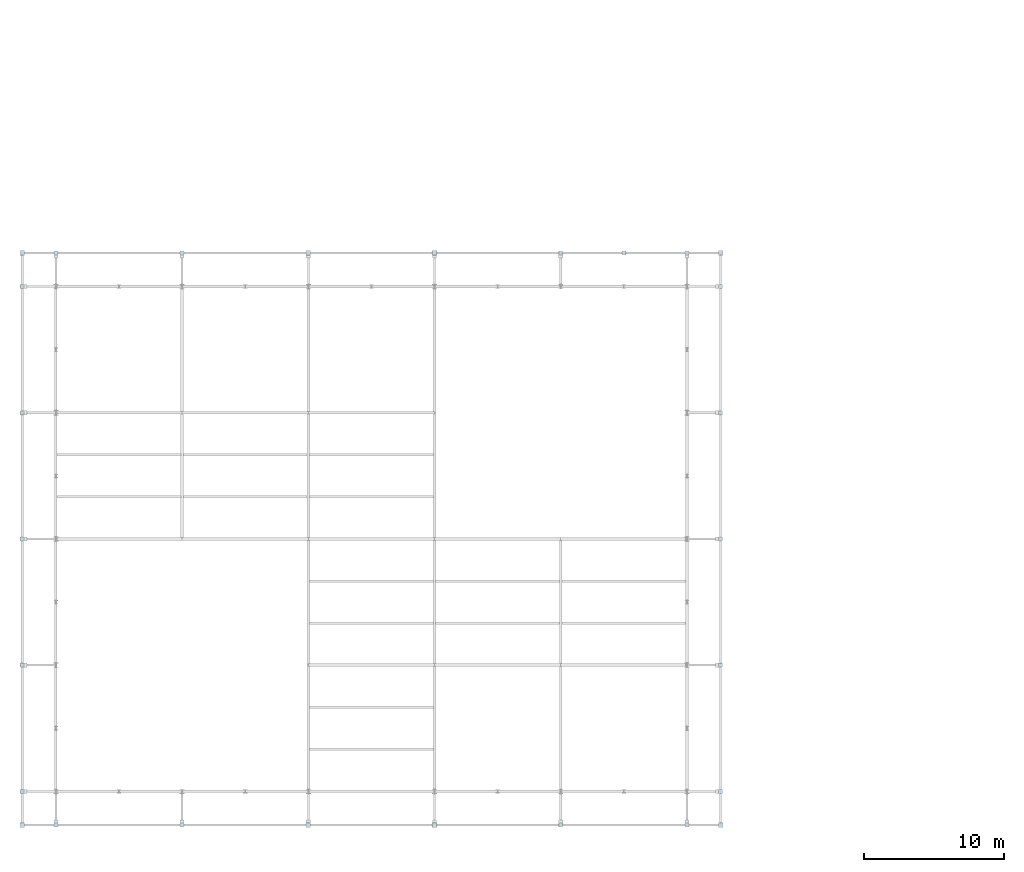
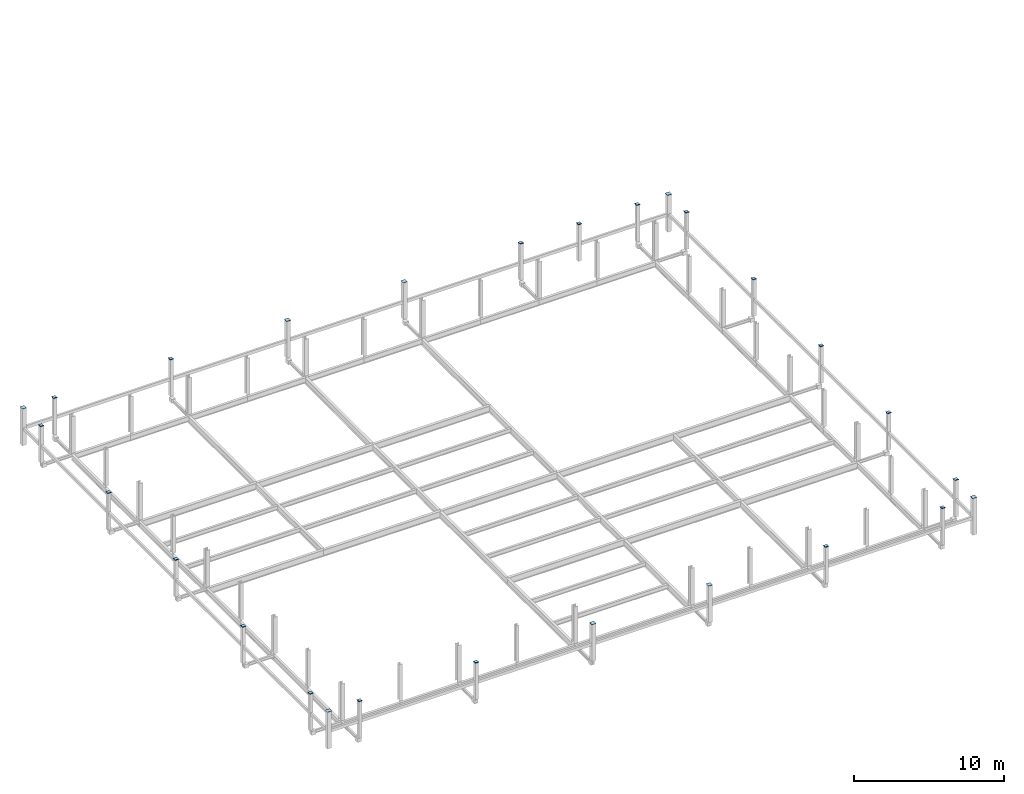
# One storey, part 10 of 16: 27 plates.
"""IFC4 building model written with IfcOpenShell, lengths in metres."""

from ifc_helpers import new_model, si_unit, direction, frame, origin, origin_2d, place, context, subcontext, project, spatial, rectangle, extrude, material, layer, layer_set, type_object, element, save


model = new_model("IFC4")

# Units and contexts
model_context = context("Model", 3, precision=1e-05, world=origin(), true_north=direction((0.0, 1.0)))
body_context = subcontext(model_context, "Body", "Model", "MODEL_VIEW")
ifc_project = project(units=[si_unit("LENGTHUNIT", "METRE"), si_unit("AREAUNIT", "SQUARE_METRE"), si_unit("VOLUMEUNIT", "CUBIC_METRE"), si_unit("PLANEANGLEUNIT", "RADIAN"), si_unit("MASSUNIT", "GRAM", prefix="KILO"), si_unit("THERMODYNAMICTEMPERATUREUNIT", "KELVIN"), si_unit("POWERUNIT", "WATT")], contexts=[model_context])

# Site, building, storey
site_placement = place(None, origin())
site = spatial("IfcSite", under=ifc_project, at=site_placement, CompositionType="ELEMENT")
building_placement = place(site_placement, origin())
building = spatial("IfcBuilding", under=site, at=building_placement, Name="Tallowbark Science Centre", CompositionType="ELEMENT")
storey_placement = place(building_placement, frame((0.0, 0.0, 23.39990234375)))
storey = spatial("IfcBuildingStorey", under=building, at=storey_placement, Name="L05", CompositionType="ELEMENT", Elevation=23.39990234375)

# Plates
ifc_material = material(Name="Structural Steel Grade 300PLUS (300 MPa)", Category="steel")
ifc_layer_1 = layer(ifc_material, 0.01611328125)
ifc_layer_set_1 = layer_set([ifc_layer_1], Name="Structural Steel Grade 300PLUS (300 MPa)")
plate_type_1 = type_object("IfcPlateType", Name="PLT-GUS-16B", PredefinedType="SHEET", material=ifc_layer_set_1)
for number, where, z_axis, x_axis, name in (
    (1, (58.5, 2.10009765625, 3.0), (0.0, 0.0, 1.0), (1.0, 0.0, 0.0), "Hollow Column Top Cap Plate SCR-S01"),
    (2, (58.5, 42.89990234375, 3.0), (0.0, 0.0, 1.0), (1.0, 0.0, 0.0), "Hollow Column Top Cap Plate SCR-N01"),
    (3, (67.5, 2.10009765625, 3.0), (0.0, 0.0, 1.0), (1.0, 0.0, 0.0), "Hollow Column Top Cap Plate SCR-S02"),
    (4, (67.5, 42.89990234375, 3.0), (0.0, 0.0, 1.0), (1.0, 0.0, 0.0), "Hollow Column Top Cap Plate SCR-N02"),
    (5, (94.5, 2.10009765625, 3.0), (0.0, 0.0, 1.0), (1.0, 0.0, 0.0), "Hollow Column Top Cap Plate SCR-S05"),
    (6, (94.5, 42.89990234375, 3.0), (0.0, 0.0, 1.0), (1.0, 0.0, 0.0), "Hollow Column Top Cap Plate SCR-N05"),
    (7, (103.5, 2.10009765625, 3.0), (0.0, 0.0, 1.0), (1.0, 0.0, 0.0), "Hollow Column Top Cap Plate SCR-S06"),
    (8, (103.5, 42.89990234375, 3.0), (0.0, 0.0, 1.0), (1.0, 0.0, 0.0), "Hollow Column Top Cap Plate SCR-N06"),
    (9, (99.0, 42.89990234375, 3.0), (0.0, 0.0, 1.0), (1.0, 0.0, 0.0), "Hollow Column Top Cap Plate SCR-NLNK"),
    (10, (56.10009765625, 4.5, 3.0), (0.0, 0.0, 1.0), (1.0, 0.0, 0.0), "Hollow Column Top Cap Plate SCR-W01"),
    (11, (105.89990234375, 4.5, 3.0), (0.0, 0.0, 1.0), (1.0, 0.0, 0.0), "Hollow Column Top Cap Plate SCR-E01"),
    (12, (56.10009765625, 13.5, 3.0), (0.0, 0.0, 1.0), (1.0, 0.0, 0.0), "Hollow Column Top Cap Plate SCR-W02"),
    (13, (105.89990234375, 13.5, 3.0), (0.0, 0.0, 1.0), (1.0, 0.0, 0.0), "Hollow Column Top Cap Plate SCR-E02"),
    (14, (56.10009765625, 22.5, 3.0), (0.0, 0.0, 1.0), (1.0, 0.0, 0.0), "Hollow Column Top Cap Plate SCR-W03"),
    (15, (105.89990234375, 22.5, 3.0), (0.0, 0.0, 1.0), (1.0, 0.0, 0.0), "Hollow Column Top Cap Plate SCR-E03"),
    (16, (56.10009765625, 31.5, 3.0), (0.0, 0.0, 1.0), (1.0, 0.0, 0.0), "Hollow Column Top Cap Plate SCR-W04"),
    (17, (105.89990234375, 31.5, 3.0), (0.0, 0.0, 1.0), (1.0, 0.0, 0.0), "Hollow Column Top Cap Plate SCR-E04"),
    (18, (56.10009765625, 40.5, 3.0), (0.0, 0.0, 1.0), (1.0, 0.0, 0.0), "Hollow Column Top Cap Plate SCR-W05"),
    (19, (105.89990234375, 40.5, 3.0), (0.0, 0.0, 1.0), (1.0, 0.0, 0.0), "Hollow Column Top Cap Plate SCR-E05"),
):
    element("IfcPlate", number, at=place(storey_placement, frame(where, z_axis=z_axis, x_axis=x_axis)), inside=storey, type_object=plate_type_1, Name=name, PredefinedType="SHEET", context=body_context, shape_type="SweptSolid", body=[
        extrude(rectangle(XDim=0.27001953125, YDim=0.27001953125, at=origin_2d()), origin(), (0.0, 0.0, 1.0), 0.01611328125),
    ])
ifc_layer_2 = layer(ifc_material, 0.01611328125)
ifc_layer_set_2 = layer_set([ifc_layer_2], Name="Structural Steel Grade 300PLUS (300 MPa)")
plate_type_2 = type_object("IfcPlateType", Name="PLT-GUS-16C", PredefinedType="SHEET", material=ifc_layer_set_2)
for number, where, z_axis, x_axis, name in (
    (20, (56.10009765625, 2.10009765625, 3.0), (0.0, 0.0, 1.0), (1.0, 0.0, 0.0), "Hollow Column Top Cap Plate SCR-S00"),
    (21, (56.10009765625, 42.89990234375, 3.0), (0.0, 0.0, 1.0), (1.0, 0.0, 0.0), "Hollow Column Top Cap Plate SCR-N00"),
    (22, (76.5, 2.10009765625, 3.0), (0.0, 0.0, 1.0), (1.0, 0.0, 0.0), "Hollow Column Top Cap Plate SCR-S03"),
    (23, (76.5, 42.89990234375, 3.0), (0.0, 0.0, 1.0), (1.0, 0.0, 0.0), "Hollow Column Top Cap Plate SCR-N03"),
    (24, (85.5, 2.10009765625, 3.0), (0.0, 0.0, 1.0), (1.0, 0.0, 0.0), "Hollow Column Top Cap Plate SCR-S04"),
    (25, (85.5, 42.89990234375, 3.0), (0.0, 0.0, 1.0), (1.0, 0.0, 0.0), "Hollow Column Top Cap Plate SCR-N04"),
    (26, (105.89990234375, 2.10009765625, 3.0), (0.0, 0.0, 1.0), (1.0, 0.0, 0.0), "Hollow Column Top Cap Plate SCR-S07"),
    (27, (105.89990234375, 42.89990234375, 3.0), (0.0, 0.0, 1.0), (1.0, 0.0, 0.0), "Hollow Column Top Cap Plate SCR-N07"),
):
    element("IfcPlate", number, at=place(storey_placement, frame(where, z_axis=z_axis, x_axis=x_axis)), inside=storey, type_object=plate_type_2, Name=name, PredefinedType="SHEET", context=body_context, shape_type="SweptSolid", body=[
        extrude(rectangle(XDim=0.320068359375, YDim=0.320068359375, at=origin_2d()), origin(), (0.0, 0.0, 1.0), 0.01611328125),
    ])

save(model, "model.ifc")
